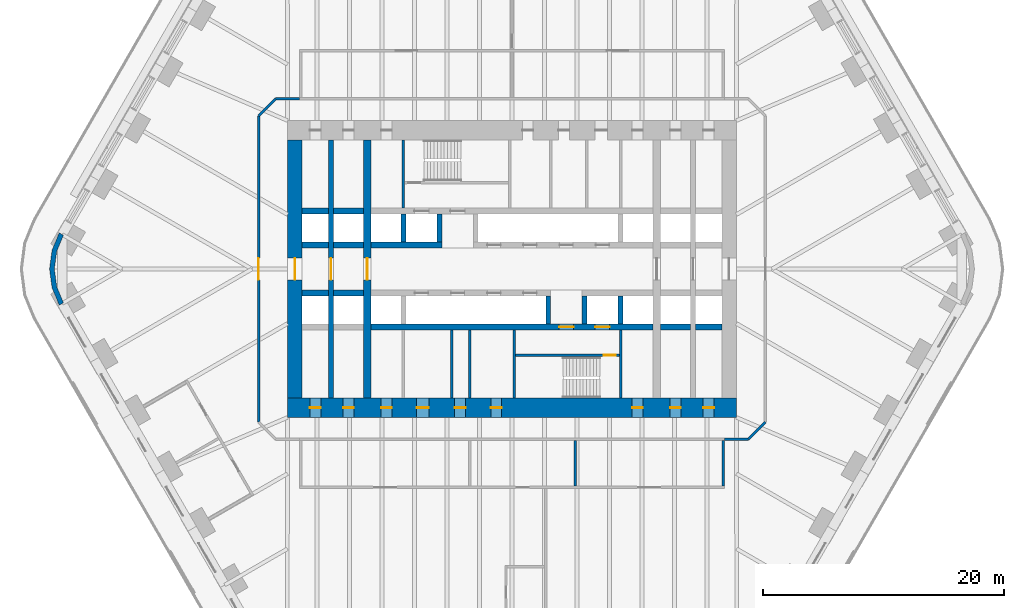
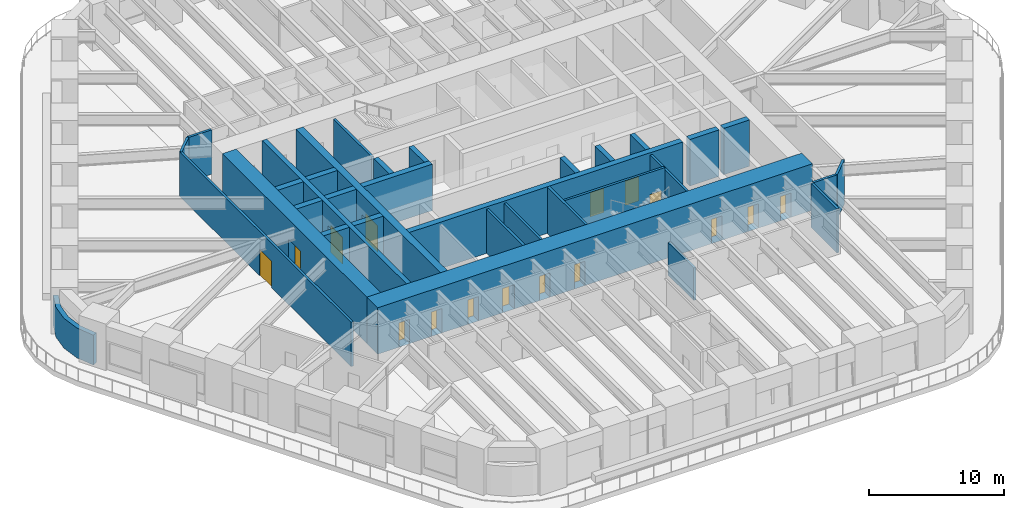
# One storey, part 17 of 23: 33 walls, 16 doors, 16 openings.
"""IFC4 building model written with IfcOpenShell, lengths in metres."""

from ifc_helpers import new_model, si_unit, direction, frame, frame_2d, origin, place, context, subcontext, project, spatial, polyline, rectangle, outline, extrude, material, layer, layer_set, type_object, element, fill, save


model = new_model("IFC4")

# Units and contexts
model_context = context("Model", 3, precision=1e-05, world=origin(), true_north=direction((0.0, 1.0)))
body_context = subcontext(model_context, "Body", "Model", "MODEL_VIEW")
ifc_project = project(units=[si_unit("LENGTHUNIT", "METRE"), si_unit("AREAUNIT", "SQUARE_METRE"), si_unit("VOLUMEUNIT", "CUBIC_METRE"), si_unit("PLANEANGLEUNIT", "RADIAN"), si_unit("MASSUNIT", "GRAM", prefix="KILO")], contexts=[model_context])

# Site, building, storey
site_placement = place(None, origin())
site = spatial("IfcSite", under=ifc_project, at=site_placement, CompositionType="ELEMENT")
building_placement = place(site_placement, origin())
building = spatial("IfcBuilding", under=site, at=building_placement, Name="Tarfa Lantern Tower", CompositionType="ELEMENT")
storey_placement = place(building_placement, frame((0.0, 0.0, 31.89990234375)))
storey = spatial("IfcBuildingStorey", under=building, at=storey_placement, Name="L06", CompositionType="ELEMENT", Elevation=31.89990234375)

# Walls
ifc_material_1 = material(Name="Limestone cladding on blockwork", Category="masonry")
ifc_layer_1 = layer(ifc_material_1, 0.39990234375)
ifc_layer_set_1 = layer_set([ifc_layer_1], Name="EW2 CURVED STONE CORNER 400")
wall_type_1 = type_object("IfcWallType", Name="EW2 CURVED STONE CORNER 400", PredefinedType="SOLIDWALL", material=ifc_layer_set_1)
wall_1_placement = place(storey_placement, origin())
element("IfcWall", 1, at=wall_1_placement, inside=storey, type_object=wall_type_1, Name="Stone corner NW-SW", PredefinedType="SOLIDWALL", context=body_context, shape_type="SweptSolid", body=[
    extrude(outline(polyline([(-37.52783203125, 3.0), (-38.127197265625, 1.552978515625), (-38.33154296875, 0.0), (-38.127197265625, -1.552978515625), (-37.52783203125, -3.0), (-37.181396484375, -2.800048828125), (-37.74072265625, -1.449462890625), (-37.931640625, 0.0), (-37.74072265625, 1.449462890625), (-37.181396484375, 2.800048828125), (-37.52783203125, 3.0)])), origin(), (0.0, 0.0, 1.0), 2.7001953125),
])
ifc_material_2 = material(Name="Concrete blockwork", Category="masonry")
ifc_layer_2 = layer(ifc_material_2, 0.199951171875)
ifc_layer_set_2 = layer_set([ifc_layer_2], Name="IW1 BLOCKWORK PARTITION 200 EI 120")
wall_type_2 = type_object("IfcWallType", Name="IW1 BLOCKWORK PARTITION 200 EI 120", PredefinedType="PARTITIONING", material=ifc_layer_set_2)
for number, where, z_axis, x_axis, name in (
    (2, (-9.0, 5.050048828125, 0.0), (0.0, 0.0, 1.0), (0.0, 1.0, 0.0), "Core partition"),
    (3, (9.0, -5.050048828125, 0.0), (0.0, 0.0, 1.0), (0.0, -1.0, 0.0), "Core partition"),
    (4, (-3.5, -5.050048828125, 0.0), (0.0, 0.0, 1.0), (0.0, -1.0, 0.0), "Core partition"),
    (5, (-5.0, -5.050048828125, 0.0), (0.0, 0.0, 1.0), (0.0, -1.0, 0.0), "Core partition"),
):
    element("IfcWall", number, at=place(storey_placement, frame(where, z_axis=z_axis, x_axis=x_axis)), inside=storey, type_object=wall_type_2, Name=name, PredefinedType="PARTITIONING", context=body_context, shape_type="SweptSolid", body=[
        extrude(rectangle(XDim=5.64990234375, YDim=0.199951171875, at=frame_2d((2.824951171875, 0.0))), origin(), (0.0, 0.0, 1.0), 4.0),
    ])
ifc_material_3 = material(Name="Gypsum board on steel studs", Category="steel")
ifc_layer_3 = layer(ifc_material_3, 0.2099609375)
ifc_layer_set_3 = layer_set([ifc_layer_3], Name="IW2 ACOUSTIC PARTITION 200")
wall_type_3 = type_object("IfcWallType", Name="IW2 ACOUSTIC PARTITION 200", PredefinedType="PARTITIONING", material=ifc_layer_set_3)
wall_2_placement = place(storey_placement, frame((17.5, -14.199951171875, 0.0), z_axis=(0.0, 0.0, 1.0), x_axis=(0.0, -1.0, 0.0)))
element("IfcWall", 6, at=wall_2_placement, inside=storey, type_object=wall_type_3, Name="Partition", PredefinedType="PARTITIONING", context=body_context, shape_type="SweptSolid", body=[
    extrude(rectangle(XDim=3.800048828125, YDim=0.199951171875, at=frame_2d((1.89990234375, 0.0))), origin(), (0.0, 0.0, 1.0), 4.0),
])
wall_3_placement = place(storey_placement, frame((5.25, -14.199951171875, 0.0), z_axis=(0.0, 0.0, 1.0), x_axis=(0.0, -1.0, 0.0)))
element("IfcWall", 7, at=wall_3_placement, inside=storey, type_object=wall_type_3, Name="Partition", PredefinedType="PARTITIONING", context=body_context, shape_type="SweptSolid", body=[
    extrude(rectangle(XDim=3.800048828125, YDim=0.199951171875, at=frame_2d((1.89990234375, 0.0))), origin(), (0.0, 0.0, 1.0), 2.944091796875),
])
wall_4_placement = place(storey_placement, frame((-19.60009765625, 14.10009765625, 0.0), z_axis=(0.0, 0.0, 1.0), x_axis=(1.0, 0.0, 0.0)))
element("IfcWall", 8, at=wall_4_placement, inside=storey, type_object=wall_type_3, Name="Partition", PredefinedType="PARTITIONING", context=body_context, shape_type="SweptSolid", body=[
    extrude(rectangle(XDim=2.0, YDim=0.199951171875, at=frame_2d((1.0, 0.0))), origin(), (0.0, 0.0, 1.0), 4.0),
])
wall_5_placement = place(storey_placement, frame((21.0, -12.699951171875, 0.0), z_axis=(0.0, 0.0, 1.0), x_axis=(-0.707045124756, -0.707168432242, 0.0)))
element("IfcWall", 9, at=wall_5_placement, inside=storey, type_object=wall_type_3, Name="Partition", PredefinedType="PARTITIONING", context=body_context, shape_type="SweptSolid", body=[
    extrude(rectangle(XDim=1.97998046875, YDim=0.199951171875, at=frame_2d((0.989990234375, 0.0))), origin(), (0.0, 0.0, 1.0), 4.0),
])
wall_6_placement = place(storey_placement, frame((19.60009765625, -14.10009765625, 0.0), z_axis=(0.0, 0.0, 1.0), x_axis=(-1.0, 0.0, 0.0)))
element("IfcWall", 10, at=wall_6_placement, inside=storey, type_object=wall_type_3, Name="Partition", PredefinedType="PARTITIONING", context=body_context, shape_type="SweptSolid", body=[
    extrude(rectangle(XDim=2.0, YDim=0.199951171875, at=frame_2d((1.0, 0.0))), origin(), (0.0, 0.0, 1.0), 4.0),
])

# Wall, opening, door
wall_7_placement = place(storey_placement, frame((-21.0, -12.699951171875, 0.0), z_axis=(0.0, 0.0, 1.0), x_axis=(0.0, 1.0, 0.0)))
wall_7 = element("IfcWall", 11, at=wall_7_placement, inside=storey, type_object=wall_type_3, Name="Partition", PredefinedType="PARTITIONING", context=body_context, shape_type="SweptSolid", body=[
    extrude(rectangle(XDim=25.39990234375, YDim=0.199951171875, at=frame_2d((12.699951171875, 0.0))), origin(), (0.0, 0.0, 1.0), 4.0),
])
opening_1_placement = place(wall_7_placement, frame((11.800048828125, 0.0, 0.0)))
opening_1 = element("IfcOpeningElement", 12, at=opening_1_placement, cuts=wall_7, Name="Opening D39", PredefinedType="OPENING", context=body_context, shape_type="SweptSolid", body=[
    extrude(rectangle(XDim=1.800048828125, YDim=2.39990234375, at=frame_2d((0.89990234375, 1.199951171875))), frame((0.0, 0.10986328125, 0.0), z_axis=(0.0, -1.0, 0.0), x_axis=(1.0, 0.0, 0.0)), (0.0, 0.0, 1.0), 0.219970703125),
])
ifc_material_4 = material(Name="Timber door", Category="wood")
door_type_1 = type_object("IfcDoorType", Name="DR2 ROOM DOOR 1800x2400", OperationType="DOUBLE_DOOR_SINGLE_SWING", PredefinedType="DOOR", material=ifc_material_4)
door_1_placement = place(opening_1_placement, origin())
door_1 = element("IfcDoor", 13, at=door_1_placement, inside=storey, type_object=door_type_1, Name="Corridor door", OperationType="DOUBLE_DOOR_SINGLE_SWING", OverallHeight=2.39990234375, OverallWidth=1.800048828125, PredefinedType="DOOR", context=body_context, shape_type="SweptSolid", body=[
    extrude(rectangle(XDim=1.800048828125, YDim=2.39990234375, at=frame_2d((0.89990234375, 1.199951171875))), frame((0.0, 0.02490234375, 0.0), z_axis=(0.0, -1.0, 0.0), x_axis=(1.0, 0.0, 0.0)), (0.0, 0.0, 1.0), 0.050048828125),
])
fill(opening_1, door_1)

# Wall
wall_8_placement = place(storey_placement, frame((-21.0, 12.699951171875, 0.0), z_axis=(0.0, 0.0, 1.0), x_axis=(0.707045124756, 0.707168432242, 0.0)))
element("IfcWall", 14, at=wall_8_placement, inside=storey, type_object=wall_type_3, Name="Partition", PredefinedType="PARTITIONING", context=body_context, shape_type="SweptSolid", body=[
    extrude(rectangle(XDim=1.97998046875, YDim=0.199951171875, at=frame_2d((0.989990234375, 0.0))), origin(), (0.0, 0.0, 1.0), 4.0),
])

# Wall, opening, door
ifc_material_5 = material(Name="Concrete C80/95", Category="concrete")
ifc_layer_4 = layer(ifc_material_5, 1.199951171875)
ifc_layer_set_4 = layer_set([ifc_layer_4], Name="SW1 CORE WALL 1200")
wall_type_4 = type_object("IfcWallType", Name="SW1 CORE WALL 1200", PredefinedType="SHEAR", material=ifc_layer_set_4)
wall_9_placement = place(storey_placement, frame((-18.0, 10.699951171875, 0.0), z_axis=(0.0, 0.0, 1.0), x_axis=(0.0, -1.0, 0.0)))
wall_9 = element("IfcWall", 15, at=wall_9_placement, inside=storey, type_object=wall_type_4, Name="Core wall W", PredefinedType="SHEAR", context=body_context, shape_type="SweptSolid", body=[
    extrude(rectangle(XDim=21.39990234375, YDim=1.199951171875, at=frame_2d((10.699951171875, 0.0))), origin(), (0.0, 0.0, 1.0), 4.2001953125),
])
opening_2_placement = place(wall_9_placement, frame((9.800048828125, 0.0, 0.0)))
opening_2 = element("IfcOpeningElement", 16, at=opening_2_placement, cuts=wall_9, Name="Opening D16", PredefinedType="OPENING", context=body_context, shape_type="SweptSolid", body=[
    extrude(rectangle(XDim=1.800048828125, YDim=2.39990234375, at=frame_2d((0.89990234375, 1.199951171875))), frame((0.0, 0.60986328125, 0.0), z_axis=(0.0, -1.0, 0.0), x_axis=(1.0, 0.0, 0.0)), (0.0, 0.0, 1.0), 1.219970703125),
])
ifc_material_6 = material(Name="Steel fire door", Category="steel")
door_type_2 = type_object("IfcDoorType", Name="DL1 LOBBY DOOR 1800x2400", OperationType="DOUBLE_DOOR_SINGLE_SWING", PredefinedType="DOOR", material=ifc_material_6)
door_2_placement = place(opening_2_placement, frame((1.800048828125, 0.0, 0.0), z_axis=(0.0, 0.0, 1.0), x_axis=(-1.0, 0.0, 0.0)))
door_2 = element("IfcDoor", 17, at=door_2_placement, inside=storey, type_object=door_type_2, Name="Lift lobby door", OperationType="DOUBLE_DOOR_SINGLE_SWING", OverallHeight=2.39990234375, OverallWidth=1.800048828125, PredefinedType="DOOR", context=body_context, shape_type="SweptSolid", body=[
    extrude(rectangle(XDim=1.800048828125, YDim=2.39990234375, at=frame_2d((0.89990234375, 1.199951171875))), frame((0.0, 0.02490234375, 0.0), z_axis=(0.0, -1.0, 0.0), x_axis=(1.0, 0.0, 0.0)), (0.0, 0.0, 1.0), 0.050048828125),
])
fill(opening_2, door_2)

# Wall
ifc_layer_5 = layer(ifc_material_5, 0.199951171875)
ifc_layer_set_5 = layer_set([ifc_layer_5], Name="SW12 CORE WALL 200")
wall_type_5 = type_object("IfcWallType", Name="SW12 CORE WALL 200", PredefinedType="SHEAR", material=ifc_layer_set_5)
wall_10_placement = place(storey_placement, frame((0.199951171875, -5.050048828125, 0.0), z_axis=(0.0, 0.0, 1.0), x_axis=(0.0, -1.0, 0.0)))
element("IfcWall", 18, at=wall_10_placement, inside=storey, type_object=wall_type_5, Name="Core wall stair shaft S", PredefinedType="SHEAR", context=body_context, shape_type="SweptSolid", body=[
    extrude(rectangle(XDim=5.64990234375, YDim=0.199951171875, at=frame_2d((2.824951171875, 0.0))), origin(), (0.0, 0.0, 1.0), 4.2001953125),
])

# Wall, opening, door
wall_11_placement = place(storey_placement, frame((8.89990234375, -7.14990234375, 0.0), z_axis=(0.0, 0.0, 1.0), x_axis=(-1.0, 0.0, 0.0)))
wall_11 = element("IfcWall", 19, at=wall_11_placement, inside=storey, type_object=wall_type_5, Name="Core wall stair partition S", PredefinedType="SHEAR", context=body_context, shape_type="SweptSolid", body=[
    extrude(rectangle(XDim=8.599853515625, YDim=0.199951171875, at=frame_2d((4.2998046875, 0.0))), origin(), (0.0, 0.0, 1.0), 4.2001953125),
])
opening_3_placement = place(wall_11_placement, frame((0.300048828125, 0.0, 0.0)))
opening_3 = element("IfcOpeningElement", 20, at=opening_3_placement, cuts=wall_11, Name="Opening D24", PredefinedType="OPENING", context=body_context, shape_type="SweptSolid", body=[
    extrude(rectangle(XDim=1.0, YDim=2.199951171875, at=frame_2d((0.5, 1.10009765625))), frame((0.0, 0.10986328125, 0.0), z_axis=(0.0, -1.0, 0.0), x_axis=(1.0, 0.0, 0.0)), (0.0, 0.0, 1.0), 0.219970703125),
])
door_type_3 = type_object("IfcDoorType", Name="DF2 STAIR DOOR 1000x2200", OperationType="SINGLE_SWING_LEFT", PredefinedType="DOOR", material=ifc_material_6)
door_3_placement = place(opening_3_placement, origin())
door_3 = element("IfcDoor", 21, at=door_3_placement, inside=storey, type_object=door_type_3, Name="Stair door", OperationType="SINGLE_SWING_RIGHT", OverallHeight=2.199951171875, OverallWidth=1.0, PredefinedType="DOOR", context=body_context, shape_type="SweptSolid", body=[
    extrude(rectangle(XDim=1.0, YDim=2.199951171875, at=frame_2d((0.5, 1.10009765625))), frame((0.0, 0.02490234375, 0.0), z_axis=(0.0, -1.0, 0.0), x_axis=(1.0, 0.0, 0.0)), (0.0, 0.0, 1.0), 0.050048828125),
])
fill(opening_3, door_3)

# Walls
ifc_layer_6 = layer(ifc_material_5, 0.5)
ifc_layer_set_6 = layer_set([ifc_layer_6], Name="SW5 CORE WALL 500")
wall_type_6 = type_object("IfcWallType", Name="SW5 CORE WALL 500", PredefinedType="SHEAR", material=ifc_layer_set_6)
wall_12_placement = place(storey_placement, frame((-17.39990234375, 2.0, 0.0), z_axis=(0.0, 0.0, 1.0), x_axis=(1.0, 0.0, 0.0)))
element("IfcWall", 22, at=wall_12_placement, inside=storey, type_object=wall_type_6, Name="Core wall lobby west N", PredefinedType="SHEAR", context=body_context, shape_type="SweptSolid", body=[
    extrude(rectangle(XDim=2.199951171875, YDim=0.5, at=frame_2d((1.10009765625, 0.0))), origin(), (0.0, 0.0, 1.0), 4.2001953125),
])
wall_13_placement = place(storey_placement, frame((-14.800048828125, 2.0, 0.0), z_axis=(0.0, 0.0, 1.0), x_axis=(1.0, 0.0, 0.0)))
element("IfcWall", 23, at=wall_13_placement, inside=storey, type_object=wall_type_6, Name="Core wall lobby west N", PredefinedType="SHEAR", context=body_context, shape_type="SweptSolid", body=[
    extrude(rectangle(XDim=2.5, YDim=0.5, at=frame_2d((1.25, 0.0))), origin(), (0.0, 0.0, 1.0), 4.2001953125),
])
wall_14_placement = place(storey_placement, frame((-11.699951171875, 2.0, 0.0), z_axis=(0.0, 0.0, 1.0), x_axis=(1.0, 0.0, 0.0)))
element("IfcWall", 24, at=wall_14_placement, inside=storey, type_object=wall_type_6, Name="Core wall lobby west N", PredefinedType="SHEAR", context=body_context, shape_type="SweptSolid", body=[
    extrude(rectangle(XDim=5.89990234375, YDim=0.5, at=frame_2d((2.949951171875, 0.0))), origin(), (0.0, 0.0, 1.0), 4.2001953125),
])
wall_15_placement = place(storey_placement, frame((-17.39990234375, 4.800048828125, 0.0), z_axis=(0.0, 0.0, 1.0), x_axis=(1.0, 0.0, 0.0)))
element("IfcWall", 25, at=wall_15_placement, inside=storey, type_object=wall_type_6, Name="Core wall rear N", PredefinedType="SHEAR", context=body_context, shape_type="SweptSolid", body=[
    extrude(rectangle(XDim=2.199951171875, YDim=0.5, at=frame_2d((1.10009765625, 0.0))), origin(), (0.0, 0.0, 1.0), 4.2001953125),
])
for number, where, z_axis, x_axis, name in (
    (26, (-14.800048828125, 4.800048828125, 0.0), (0.0, 0.0, 1.0), (1.0, 0.0, 0.0), "Core wall rear N"),
    (27, (-12.300048828125, -2.0, 0.0), (0.0, 0.0, 1.0), (-1.0, 0.0, 0.0), "Core wall lobby east S"),
):
    element("IfcWall", number, at=place(storey_placement, frame(where, z_axis=z_axis, x_axis=x_axis)), inside=storey, type_object=wall_type_6, Name=name, PredefinedType="SHEAR", context=body_context, shape_type="SweptSolid", body=[
        extrude(rectangle(XDim=2.5, YDim=0.5, at=frame_2d((1.25, 0.0))), origin(), (0.0, 0.0, 1.0), 4.2001953125),
    ])
for number, where, z_axis, x_axis, name in (
    (28, (-15.199951171875, -2.0, 0.0), (0.0, 0.0, 1.0), (-1.0, 0.0, 0.0), "Core wall lobby east S"),
    (29, (17.39990234375, -4.800048828125, 0.0), (0.0, 0.0, 1.0), (-1.0, 0.0, 0.0), "Core wall rear S"),
):
    element("IfcWall", number, at=place(storey_placement, frame(where, z_axis=z_axis, x_axis=x_axis)), inside=storey, type_object=wall_type_6, Name=name, PredefinedType="SHEAR", context=body_context, shape_type="SweptSolid", body=[
        extrude(rectangle(XDim=2.199951171875, YDim=0.5, at=frame_2d((1.10009765625, 0.0))), origin(), (0.0, 0.0, 1.0), 4.2001953125),
    ])
wall_16_placement = place(storey_placement, frame((14.800048828125, -4.800048828125, 0.0), z_axis=(0.0, 0.0, 1.0), x_axis=(-1.0, 0.0, 0.0)))
element("IfcWall", 30, at=wall_16_placement, inside=storey, type_object=wall_type_6, Name="Core wall rear S", PredefinedType="SHEAR", context=body_context, shape_type="SweptSolid", body=[
    extrude(rectangle(XDim=2.5, YDim=0.5, at=frame_2d((1.25, 0.0))), origin(), (0.0, 0.0, 1.0), 4.2001953125),
])

# Wall, openings, doors
wall_17_placement = place(storey_placement, frame((11.699951171875, -4.800048828125, 0.0), z_axis=(0.0, 0.0, 1.0), x_axis=(-1.0, 0.0, 0.0)))
wall_17 = element("IfcWall", 31, at=wall_17_placement, inside=storey, type_object=wall_type_6, Name="Core wall rear S", PredefinedType="SHEAR", context=body_context, shape_type="SweptSolid", body=[
    extrude(rectangle(XDim=23.39990234375, YDim=0.5, at=frame_2d((11.699951171875, 0.0))), origin(), (0.0, 0.0, 1.0), 4.2001953125),
])
opening_4_placement = place(wall_17_placement, frame((6.60009765625, 0.0, 0.0)))
opening_4 = element("IfcOpeningElement", 32, at=opening_4_placement, cuts=wall_17, Name="Opening D14", PredefinedType="OPENING", context=body_context, shape_type="SweptSolid", body=[
    extrude(rectangle(XDim=1.199951171875, YDim=2.199951171875, at=frame_2d((0.60009765625, 1.10009765625))), frame((0.0, 0.260009765625, 0.0), z_axis=(0.0, -1.0, 0.0), x_axis=(1.0, 0.0, 0.0)), (0.0, 0.0, 1.0), 0.52001953125),
])
opening_5_placement = place(wall_17_placement, frame((3.60009765625, 0.0, 0.0)))
opening_5 = element("IfcOpeningElement", 33, at=opening_5_placement, cuts=wall_17, Name="Opening LD02", PredefinedType="OPENING", context=body_context, shape_type="SweptSolid", body=[
    extrude(rectangle(XDim=1.199951171875, YDim=2.199951171875, at=frame_2d((0.60009765625, 1.10009765625))), frame((0.0, 0.260009765625, 0.0), z_axis=(0.0, -1.0, 0.0), x_axis=(1.0, 0.0, 0.0)), (0.0, 0.0, 1.0), 0.52001953125),
])
door_type_4 = type_object("IfcDoorType", Name="DF1 FIREFIGHTING LOBBY DOOR 1200x2200", OperationType="SINGLE_SWING_LEFT", PredefinedType="DOOR", material=ifc_material_6)
door_4_placement = place(opening_4_placement, origin())
door_4 = element("IfcDoor", 34, at=door_4_placement, inside=storey, type_object=door_type_4, Name="Firefighting lobby door", OperationType="SINGLE_SWING_LEFT", OverallHeight=2.199951171875, OverallWidth=1.199951171875, PredefinedType="DOOR", context=body_context, shape_type="SweptSolid", body=[
    extrude(rectangle(XDim=1.199951171875, YDim=2.199951171875, at=frame_2d((0.60009765625, 1.10009765625))), frame((0.0, 0.02490234375, 0.0), z_axis=(0.0, -1.0, 0.0), x_axis=(1.0, 0.0, 0.0)), (0.0, 0.0, 1.0), 0.050048828125),
])
fill(opening_4, door_4)
ifc_material_7 = material(Name="Stainless steel lift door", Category="steel")
door_type_5 = type_object("IfcDoorType", Name="LD1 LIFT LANDING DOOR 1200x2200", OperationType="SLIDING_TO_LEFT", PredefinedType="DOOR", material=ifc_material_7)
door_5_placement = place(opening_5_placement, origin())
door_5 = element("IfcDoor", 35, at=door_5_placement, inside=storey, type_object=door_type_5, Name="Landing door FL2", OperationType="SLIDING_TO_LEFT", OverallHeight=2.199951171875, OverallWidth=1.199951171875, PredefinedType="DOOR", context=body_context, shape_type="SweptSolid", body=[
    extrude(rectangle(XDim=1.199951171875, YDim=2.199951171875, at=frame_2d((0.60009765625, 1.10009765625))), frame((0.0, 0.02490234375, 0.0), z_axis=(0.0, -1.0, 0.0), x_axis=(1.0, 0.0, 0.0)), (0.0, 0.0, 1.0), 0.050048828125),
])
fill(opening_5, door_5)

# Wall, opening, door
ifc_layer_7 = layer(ifc_material_5, 0.39990234375)
ifc_layer_set_7 = layer_set([ifc_layer_7], Name="SW6 CORE WALL 400")
wall_type_7 = type_object("IfcWallType", Name="SW6 CORE WALL 400", PredefinedType="SHEAR", material=ifc_layer_set_7)
wall_18_placement = place(storey_placement, frame((-15.0, -10.699951171875, 0.0), z_axis=(0.0, 0.0, 1.0), x_axis=(0.0, 1.0, 0.0)))
wall_18 = element("IfcWall", 36, at=wall_18_placement, inside=storey, type_object=wall_type_7, Name="Core wall cross 15 m west", PredefinedType="SHEAR", context=body_context, shape_type="SweptSolid", body=[
    extrude(rectangle(XDim=21.39990234375, YDim=0.39990234375, at=frame_2d((10.699951171875, 0.0))), origin(), (0.0, 0.0, 1.0), 4.2001953125),
])
opening_6_placement = place(wall_18_placement, frame((9.800048828125, 0.0, 0.0)))
opening_6 = element("IfcOpeningElement", 37, at=opening_6_placement, cuts=wall_18, Name="Opening D28", PredefinedType="OPENING", context=body_context, shape_type="SweptSolid", body=[
    extrude(rectangle(XDim=1.800048828125, YDim=2.39990234375, at=frame_2d((0.89990234375, 1.199951171875))), frame((0.0, 0.2099609375, 0.0), z_axis=(0.0, -1.0, 0.0), x_axis=(1.0, 0.0, 0.0)), (0.0, 0.0, 1.0), 0.419921875),
])
door_6_placement = place(opening_6_placement, origin())
door_6 = element("IfcDoor", 38, at=door_6_placement, inside=storey, type_object=door_type_2, Name="Lift lobby door", OperationType="DOUBLE_DOOR_SINGLE_SWING", OverallHeight=2.39990234375, OverallWidth=1.800048828125, PredefinedType="DOOR", context=body_context, shape_type="SweptSolid", body=[
    extrude(rectangle(XDim=1.800048828125, YDim=2.39990234375, at=frame_2d((0.89990234375, 1.199951171875))), frame((0.0, 0.02490234375, 0.0), z_axis=(0.0, -1.0, 0.0), x_axis=(1.0, 0.0, 0.0)), (0.0, 0.0, 1.0), 0.050048828125),
])
fill(opening_6, door_6)

# Walls
for number, where, z_axis, x_axis, name in (
    (39, (-9.0, 2.25, 0.0), (0.0, 0.0, 1.0), (0.0, 1.0, 0.0), "Core wall divider N"),
    (40, (-6.0, 2.25, 0.0), (0.0, 0.0, 1.0), (0.0, 1.0, 0.0), "Core wall divider N"),
    (41, (9.0, -2.25, 0.0), (0.0, 0.0, 1.0), (0.0, -1.0, 0.0), "Core wall divider S"),
    (42, (6.0, -2.25, 0.0), (0.0, 0.0, 1.0), (0.0, -1.0, 0.0), "Core wall divider S"),
    (43, (3.0, -2.25, 0.0), (0.0, 0.0, 1.0), (0.0, -1.0, 0.0), "Core wall divider S"),
):
    element("IfcWall", number, at=place(storey_placement, frame(where, z_axis=z_axis, x_axis=x_axis)), inside=storey, type_object=wall_type_7, Name=name, PredefinedType="SHEAR", context=body_context, shape_type="SweptSolid", body=[
        extrude(rectangle(XDim=2.300048828125, YDim=0.39990234375, at=frame_2d((1.14990234375, 0.0))), origin(), (0.0, 0.0, 1.0), 4.2001953125),
    ])

# Wall, openings, doors
ifc_layer_8 = layer(ifc_material_5, 1.60009765625)
ifc_layer_set_8 = layer_set([ifc_layer_8], Name="SW7 CORE WALL 1600")
wall_type_8 = type_object("IfcWallType", Name="SW7 CORE WALL 1600", PredefinedType="SHEAR", material=ifc_layer_set_8)
wall_19_placement = place(storey_placement, frame((18.60009765625, -11.5, 0.0), z_axis=(0.0, 0.0, 1.0), x_axis=(-1.0, 0.0, 0.0)))
wall_19 = element("IfcWall", 44, at=wall_19_placement, inside=storey, type_object=wall_type_8, Name="Core wall S", PredefinedType="SHEAR", context=body_context, shape_type="SweptSolid", body=[
    extrude(rectangle(XDim=37.2001953125, YDim=1.60009765625, at=frame_2d((18.60009765625, 0.0))), origin(), (0.0, 0.0, 1.0), 4.2001953125),
])
opening_7_placement = place(wall_19_placement, frame((19.449951171875, 0.0, 0.0)))
opening_7 = element("IfcOpeningElement", 45, at=opening_7_placement, cuts=wall_19, Name="Opening D18", PredefinedType="OPENING", context=body_context, shape_type="SweptSolid", body=[
    extrude(rectangle(XDim=0.89990234375, YDim=2.199951171875, at=frame_2d((0.449951171875, 1.10009765625))), frame((0.0, 0.81005859375, 0.0), z_axis=(0.0, -1.0, 0.0), x_axis=(1.0, 0.0, 0.0)), (0.0, 0.0, 1.0), 1.6201171875),
])
opening_8_placement = place(wall_19_placement, frame((22.449951171875, 0.0, 0.0)))
opening_8 = element("IfcOpeningElement", 46, at=opening_8_placement, cuts=wall_19, Name="Opening D20", PredefinedType="OPENING", context=body_context, shape_type="SweptSolid", body=[
    extrude(rectangle(XDim=0.89990234375, YDim=2.199951171875, at=frame_2d((0.449951171875, 1.10009765625))), frame((0.0, 0.81005859375, 0.0), z_axis=(0.0, -1.0, 0.0), x_axis=(1.0, 0.0, 0.0)), (0.0, 0.0, 1.0), 1.6201171875),
])
opening_9_placement = place(wall_19_placement, frame((25.5, 0.0, 0.0)))
opening_9 = element("IfcOpeningElement", 47, at=opening_9_placement, cuts=wall_19, Name="Opening D22", PredefinedType="OPENING", context=body_context, shape_type="SweptSolid", body=[
    extrude(rectangle(XDim=1.0, YDim=2.199951171875, at=frame_2d((0.5, 1.10009765625))), frame((0.0, 0.81005859375, 0.0), z_axis=(0.0, -1.0, 0.0), x_axis=(1.0, 0.0, 0.0)), (0.0, 0.0, 1.0), 1.6201171875),
])
opening_10_placement = place(wall_19_placement, frame((1.85009765625, 0.0, 0.0)))
opening_10 = element("IfcOpeningElement", 48, at=opening_10_placement, cuts=wall_19, Name="Opening D12", PredefinedType="OPENING", context=body_context, shape_type="SweptSolid", body=[
    extrude(rectangle(XDim=0.89990234375, YDim=2.199951171875, at=frame_2d((0.449951171875, 1.10009765625))), frame((0.0, 0.81005859375, 0.0), z_axis=(0.0, -1.0, 0.0), x_axis=(1.0, 0.0, 0.0)), (0.0, 0.0, 1.0), 1.6201171875),
])
opening_11_placement = place(wall_19_placement, frame((4.60009765625, 0.0, 0.0)))
opening_11 = element("IfcOpeningElement", 49, at=opening_11_placement, cuts=wall_19, Name="Opening D08", PredefinedType="OPENING", context=body_context, shape_type="SweptSolid", body=[
    extrude(rectangle(XDim=0.89990234375, YDim=2.199951171875, at=frame_2d((0.449951171875, 1.10009765625))), frame((0.0, 0.81005859375, 0.0), z_axis=(0.0, -1.0, 0.0), x_axis=(1.0, 0.0, 0.0)), (0.0, 0.0, 1.0), 1.6201171875),
])
opening_12_placement = place(wall_19_placement, frame((7.75, 0.0, 0.0)))
opening_12 = element("IfcOpeningElement", 50, at=opening_12_placement, cuts=wall_19, Name="Opening D10", PredefinedType="OPENING", context=body_context, shape_type="SweptSolid", body=[
    extrude(rectangle(XDim=0.89990234375, YDim=2.199951171875, at=frame_2d((0.449951171875, 1.10009765625))), frame((0.0, 0.81005859375, 0.0), z_axis=(0.0, -1.0, 0.0), x_axis=(1.0, 0.0, 0.0)), (0.0, 0.0, 1.0), 1.6201171875),
])
opening_13_placement = place(wall_19_placement, frame((28.550048828125, 0.0, 0.0)))
opening_13 = element("IfcOpeningElement", 51, at=opening_13_placement, cuts=wall_19, Name="Opening D06", PredefinedType="OPENING", context=body_context, shape_type="SweptSolid", body=[
    extrude(rectangle(XDim=0.89990234375, YDim=2.199951171875, at=frame_2d((0.449951171875, 1.10009765625))), frame((0.0, 0.81005859375, 0.0), z_axis=(0.0, -1.0, 0.0), x_axis=(1.0, 0.0, 0.0)), (0.0, 0.0, 1.0), 1.6201171875),
])
opening_14_placement = place(wall_19_placement, frame((31.699951171875, 0.0, 0.0)))
opening_14 = element("IfcOpeningElement", 52, at=opening_14_placement, cuts=wall_19, Name="Opening D02", PredefinedType="OPENING", context=body_context, shape_type="SweptSolid", body=[
    extrude(rectangle(XDim=0.89990234375, YDim=2.199951171875, at=frame_2d((0.449951171875, 1.10009765625))), frame((0.0, 0.81005859375, 0.0), z_axis=(0.0, -1.0, 0.0), x_axis=(1.0, 0.0, 0.0)), (0.0, 0.0, 1.0), 1.6201171875),
])
opening_15_placement = place(wall_19_placement, frame((34.449951171875, 0.0, 0.0)))
opening_15 = element("IfcOpeningElement", 53, at=opening_15_placement, cuts=wall_19, Name="Opening D04", PredefinedType="OPENING", context=body_context, shape_type="SweptSolid", body=[
    extrude(rectangle(XDim=0.89990234375, YDim=2.199951171875, at=frame_2d((0.449951171875, 1.10009765625))), frame((0.0, 0.81005859375, 0.0), z_axis=(0.0, -1.0, 0.0), x_axis=(1.0, 0.0, 0.0)), (0.0, 0.0, 1.0), 1.6201171875),
])
door_type_6 = type_object("IfcDoorType", Name="DF3 CORE ROOM DOOR 900x2200", OperationType="SINGLE_SWING_LEFT", PredefinedType="DOOR", material=ifc_material_6)
door_7_placement = place(opening_7_placement, frame((0.89990234375, 0.0, 0.0), z_axis=(0.0, 0.0, 1.0), x_axis=(-1.0, 0.0, 0.0)))
door_7 = element("IfcDoor", 54, at=door_7_placement, inside=storey, type_object=door_type_6, Name="Core door", OperationType="SINGLE_SWING_LEFT", OverallHeight=2.199951171875, OverallWidth=0.89990234375, PredefinedType="DOOR", context=body_context, shape_type="SweptSolid", body=[
    extrude(rectangle(XDim=0.89990234375, YDim=2.199951171875, at=frame_2d((0.449951171875, 1.10009765625))), frame((0.0, 0.02490234375, 0.0), z_axis=(0.0, -1.0, 0.0), x_axis=(1.0, 0.0, 0.0)), (0.0, 0.0, 1.0), 0.050048828125),
])
fill(opening_7, door_7)
door_8_placement = place(opening_8_placement, frame((0.89990234375, 0.0, 0.0), z_axis=(0.0, 0.0, 1.0), x_axis=(-1.0, 0.0, 0.0)))
door_8 = element("IfcDoor", 55, at=door_8_placement, inside=storey, type_object=door_type_6, Name="Core door", OperationType="SINGLE_SWING_RIGHT", OverallHeight=2.199951171875, OverallWidth=0.89990234375, PredefinedType="DOOR", context=body_context, shape_type="SweptSolid", body=[
    extrude(rectangle(XDim=0.89990234375, YDim=2.199951171875, at=frame_2d((0.449951171875, 1.10009765625))), frame((0.0, 0.02490234375, 0.0), z_axis=(0.0, -1.0, 0.0), x_axis=(1.0, 0.0, 0.0)), (0.0, 0.0, 1.0), 0.050048828125),
])
fill(opening_8, door_8)
door_type_7 = type_object("IfcDoorType", Name="DF4 CORE ROOM DOOR 1000x2200", OperationType="SINGLE_SWING_LEFT", PredefinedType="DOOR", material=ifc_material_6)
door_9_placement = place(opening_9_placement, frame((1.0, 0.0, 0.0), z_axis=(0.0, 0.0, 1.0), x_axis=(-1.0, 0.0, 0.0)))
door_9 = element("IfcDoor", 56, at=door_9_placement, inside=storey, type_object=door_type_7, Name="Core door", OperationType="SINGLE_SWING_RIGHT", OverallHeight=2.199951171875, OverallWidth=1.0, PredefinedType="DOOR", context=body_context, shape_type="SweptSolid", body=[
    extrude(rectangle(XDim=1.0, YDim=2.199951171875, at=frame_2d((0.5, 1.10009765625))), frame((0.0, 0.02490234375, 0.0), z_axis=(0.0, -1.0, 0.0), x_axis=(1.0, 0.0, 0.0)), (0.0, 0.0, 1.0), 0.050048828125),
])
fill(opening_9, door_9)
door_type_8 = type_object("IfcDoorType", Name="DF5 RISER DOOR 900x2200", OperationType="SINGLE_SWING_LEFT", PredefinedType="DOOR", material=ifc_material_6)
door_10_placement = place(opening_10_placement, frame((0.89990234375, 0.0, 0.0), z_axis=(0.0, 0.0, 1.0), x_axis=(-1.0, 0.0, 0.0)))
door_10 = element("IfcDoor", 57, at=door_10_placement, inside=storey, type_object=door_type_8, Name="Riser door", OperationType="SINGLE_SWING_LEFT", OverallHeight=2.199951171875, OverallWidth=0.89990234375, PredefinedType="DOOR", context=body_context, shape_type="SweptSolid", body=[
    extrude(rectangle(XDim=0.89990234375, YDim=2.199951171875, at=frame_2d((0.449951171875, 1.10009765625))), frame((0.0, 0.02490234375, 0.0), z_axis=(0.0, -1.0, 0.0), x_axis=(1.0, 0.0, 0.0)), (0.0, 0.0, 1.0), 0.050048828125),
])
fill(opening_10, door_10)
door_11_placement = place(opening_11_placement, frame((0.89990234375, 0.0, 0.0), z_axis=(0.0, 0.0, 1.0), x_axis=(-1.0, 0.0, 0.0)))
door_11 = element("IfcDoor", 58, at=door_11_placement, inside=storey, type_object=door_type_8, Name="Riser door", OperationType="SINGLE_SWING_LEFT", OverallHeight=2.199951171875, OverallWidth=0.89990234375, PredefinedType="DOOR", context=body_context, shape_type="SweptSolid", body=[
    extrude(rectangle(XDim=0.89990234375, YDim=2.199951171875, at=frame_2d((0.449951171875, 1.10009765625))), frame((0.0, 0.02490234375, 0.0), z_axis=(0.0, -1.0, 0.0), x_axis=(1.0, 0.0, 0.0)), (0.0, 0.0, 1.0), 0.050048828125),
])
fill(opening_11, door_11)
door_12_placement = place(opening_12_placement, frame((0.89990234375, 0.0, 0.0), z_axis=(0.0, 0.0, 1.0), x_axis=(-1.0, 0.0, 0.0)))
door_12 = element("IfcDoor", 59, at=door_12_placement, inside=storey, type_object=door_type_8, Name="Riser door", OperationType="SINGLE_SWING_LEFT", OverallHeight=2.199951171875, OverallWidth=0.89990234375, PredefinedType="DOOR", context=body_context, shape_type="SweptSolid", body=[
    extrude(rectangle(XDim=0.89990234375, YDim=2.199951171875, at=frame_2d((0.449951171875, 1.10009765625))), frame((0.0, 0.02490234375, 0.0), z_axis=(0.0, -1.0, 0.0), x_axis=(1.0, 0.0, 0.0)), (0.0, 0.0, 1.0), 0.050048828125),
])
fill(opening_12, door_12)
door_13_placement = place(opening_13_placement, frame((0.89990234375, 0.0, 0.0), z_axis=(0.0, 0.0, 1.0), x_axis=(-1.0, 0.0, 0.0)))
door_13 = element("IfcDoor", 60, at=door_13_placement, inside=storey, type_object=door_type_8, Name="Riser door", OperationType="SINGLE_SWING_RIGHT", OverallHeight=2.199951171875, OverallWidth=0.89990234375, PredefinedType="DOOR", context=body_context, shape_type="SweptSolid", body=[
    extrude(rectangle(XDim=0.89990234375, YDim=2.199951171875, at=frame_2d((0.449951171875, 1.10009765625))), frame((0.0, 0.02490234375, 0.0), z_axis=(0.0, -1.0, 0.0), x_axis=(1.0, 0.0, 0.0)), (0.0, 0.0, 1.0), 0.050048828125),
])
fill(opening_13, door_13)
door_14_placement = place(opening_14_placement, frame((0.89990234375, 0.0, 0.0), z_axis=(0.0, 0.0, 1.0), x_axis=(-1.0, 0.0, 0.0)))
door_14 = element("IfcDoor", 61, at=door_14_placement, inside=storey, type_object=door_type_8, Name="Riser door", OperationType="SINGLE_SWING_RIGHT", OverallHeight=2.199951171875, OverallWidth=0.89990234375, PredefinedType="DOOR", context=body_context, shape_type="SweptSolid", body=[
    extrude(rectangle(XDim=0.89990234375, YDim=2.199951171875, at=frame_2d((0.449951171875, 1.10009765625))), frame((0.0, 0.02490234375, 0.0), z_axis=(0.0, -1.0, 0.0), x_axis=(1.0, 0.0, 0.0)), (0.0, 0.0, 1.0), 0.050048828125),
])
fill(opening_14, door_14)
door_15_placement = place(opening_15_placement, frame((0.89990234375, 0.0, 0.0), z_axis=(0.0, 0.0, 1.0), x_axis=(-1.0, 0.0, 0.0)))
door_15 = element("IfcDoor", 62, at=door_15_placement, inside=storey, type_object=door_type_8, Name="Riser door", OperationType="SINGLE_SWING_RIGHT", OverallHeight=2.199951171875, OverallWidth=0.89990234375, PredefinedType="DOOR", context=body_context, shape_type="SweptSolid", body=[
    extrude(rectangle(XDim=0.89990234375, YDim=2.199951171875, at=frame_2d((0.449951171875, 1.10009765625))), frame((0.0, 0.02490234375, 0.0), z_axis=(0.0, -1.0, 0.0), x_axis=(1.0, 0.0, 0.0)), (0.0, 0.0, 1.0), 0.050048828125),
])
fill(opening_15, door_15)

# Wall, opening, door
ifc_layer_9 = layer(ifc_material_5, 0.60009765625)
ifc_layer_set_9 = layer_set([ifc_layer_9], Name="SW9 CORE WALL 600")
wall_type_9 = type_object("IfcWallType", Name="SW9 CORE WALL 600", PredefinedType="SHEAR", material=ifc_layer_set_9)
wall_20_placement = place(storey_placement, frame((-12.0, -10.699951171875, 0.0), z_axis=(0.0, 0.0, 1.0), x_axis=(0.0, 1.0, 0.0)))
wall_20 = element("IfcWall", 63, at=wall_20_placement, inside=storey, type_object=wall_type_9, Name="Core wall cross 12 m west", PredefinedType="SHEAR", context=body_context, shape_type="SweptSolid", body=[
    extrude(rectangle(XDim=21.39990234375, YDim=0.60009765625, at=frame_2d((10.699951171875, 0.0))), origin(), (0.0, 0.0, 1.0), 4.2001953125),
])
opening_16_placement = place(wall_20_placement, frame((9.800048828125, 0.0, 0.0)))
opening_16 = element("IfcOpeningElement", 64, at=opening_16_placement, cuts=wall_20, Name="Opening D27", PredefinedType="OPENING", context=body_context, shape_type="SweptSolid", body=[
    extrude(rectangle(XDim=1.800048828125, YDim=2.39990234375, at=frame_2d((0.89990234375, 1.199951171875))), frame((0.0, 0.31005859375, 0.0), z_axis=(0.0, -1.0, 0.0), x_axis=(1.0, 0.0, 0.0)), (0.0, 0.0, 1.0), 0.6201171875),
])
door_16_placement = place(opening_16_placement, origin())
door_16 = element("IfcDoor", 65, at=door_16_placement, inside=storey, type_object=door_type_2, Name="Lift lobby door", OperationType="DOUBLE_DOOR_SINGLE_SWING", OverallHeight=2.39990234375, OverallWidth=1.800048828125, PredefinedType="DOOR", context=body_context, shape_type="SweptSolid", body=[
    extrude(rectangle(XDim=1.800048828125, YDim=2.39990234375, at=frame_2d((0.89990234375, 1.199951171875))), frame((0.0, 0.02490234375, 0.0), z_axis=(0.0, -1.0, 0.0), x_axis=(1.0, 0.0, 0.0)), (0.0, 0.0, 1.0), 0.050048828125),
])
fill(opening_16, door_16)

save(model, "model.ifc")
